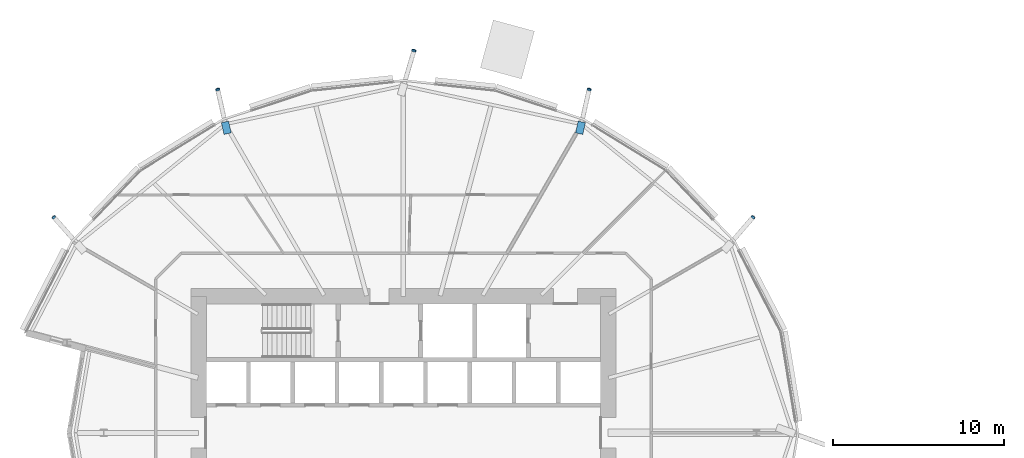
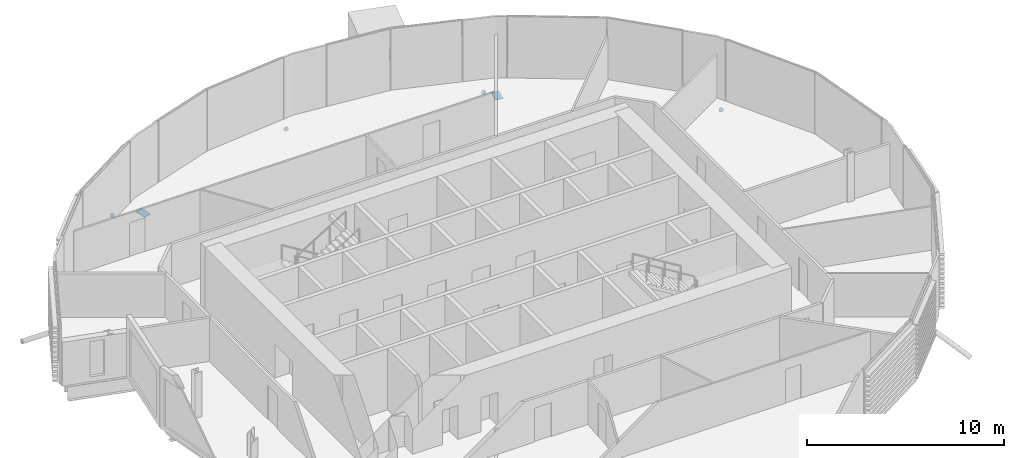
# One storey, part 30 of 38: 7 discrete accessories.
"""IFC4 building model written with IfcOpenShell, lengths in metres."""

from ifc_helpers import new_model, si_unit, direction, frame, origin, origin_2d, place, context, subcontext, project, spatial, polyline, rectangle, circle, outline, extrude, material, material_profile, profile_set, type_object, element, save


model = new_model("IFC4")

# Units and contexts
model_context = context("Model", 3, precision=1e-05, world=origin(), true_north=direction((0.0, 1.0)))
body_context = subcontext(model_context, "Body", "Model", "MODEL_VIEW")
ifc_project = project(units=[si_unit("LENGTHUNIT", "METRE"), si_unit("AREAUNIT", "SQUARE_METRE"), si_unit("VOLUMEUNIT", "CUBIC_METRE"), si_unit("PLANEANGLEUNIT", "RADIAN"), si_unit("MASSUNIT", "GRAM", prefix="KILO")], contexts=[model_context])

# Site, building, storey
site_placement = place(None, origin())
site = spatial("IfcSite", under=ifc_project, at=site_placement, CompositionType="ELEMENT")
building_placement = place(site_placement, origin())
building = spatial("IfcBuilding", under=site, at=building_placement, Name="Rimbun Link Towers", CompositionType="ELEMENT")
storey_placement = place(building_placement, frame((0.0, 0.0, 56.60009765625)))
storey = spatial("IfcBuildingStorey", under=building, at=storey_placement, Name="L13", CompositionType="ELEMENT", Elevation=56.60009765625)

# Discrete accessories
ifc_material_1 = material(Name="Steel S355J2H", Category="steel")
ifc_material_profile_1 = material_profile(ifc_material_1, circle(Radius=0.1240234375, at=origin_2d()), Name="PL D248")
ifc_profile_set_1 = profile_set([ifc_material_profile_1], Name="Steel S355J2H")
discrete_accessory_type_1 = type_object("IfcDiscreteAccessoryType", Name="Link foot sealing plate D248X20", PredefinedType="BRACKET", material=ifc_profile_set_1)
discrete_accessory_1_placement = place(storey_placement, frame((-11.2607421875, 12.628662109375, -2.016357421875), z_axis=(0.562441339278, 0.648030238733, -0.513533396732), x_axis=(-0.755218729872, 0.655472859889, 0.0)))
element("IfcDiscreteAccessory", 1, at=discrete_accessory_1_placement, inside=storey, type_object=discrete_accessory_type_1, Name="Link foot sealing plate T1 L13 02", PredefinedType="BRACKET", context=body_context, shape_type="SweptSolid", body=[
    extrude(circle(Radius=0.1240234375, at=origin_2d()), origin(), (0.0, 0.0, 1.0), 0.02001953125),
])
for number, where, z_axis, x_axis, name in (
    (2, (-20.86474609375, 20.115234375, -2.104248046875), (0.184833375936, 0.850233529307, -0.492889002497), (-0.977176363923, 0.212429644331, 0.0), "Link foot sealing plate T1 L13 04"),
    (3, (-31.132080078125, 22.39501953125, -2.161376953125), (0.245736593591, 0.835504418211, -0.491473187183), (-0.959365501571, 0.282166323992, 0.0), "Link foot sealing plate T1 L13 06"),
    (4, (-42.63525390625, 20.115234375, -2.104248046875), (-0.184833375936, 0.850233529307, -0.492889002497), (-0.977176363923, -0.212429644331, 0.0), "Link foot sealing plate T1 L13 08"),
):
    element("IfcDiscreteAccessory", number, at=place(storey_placement, frame(where, z_axis=z_axis, x_axis=x_axis)), inside=storey, type_object=discrete_accessory_type_1, Name=name, PredefinedType="BRACKET", context=body_context, shape_type="SweptSolid", body=[
        extrude(circle(Radius=0.1240234375, at=origin_2d()), origin(), (0.0, 0.0, 1.0), 0.019775390625),
    ])
discrete_accessory_2_placement = place(storey_placement, frame((-52.23291015625, 12.62890625, -2.02294921875), z_axis=(-0.574239243749, 0.647546381249, -0.500932106249), x_axis=(-0.748187660157, -0.663487170328, 0.0)))
element("IfcDiscreteAccessory", 5, at=discrete_accessory_2_placement, inside=storey, type_object=discrete_accessory_type_1, Name="Link foot sealing plate T1 L13 10", PredefinedType="BRACKET", context=body_context, shape_type="SweptSolid", body=[
    extrude(circle(Radius=0.1240234375, at=origin_2d()), origin(), (0.0, 0.0, 1.0), 0.02001953125),
])
ifc_material_2 = material(Name="Steel S355J2H", Category="steel")
ifc_material_profile_2 = material_profile(ifc_material_2, rectangle(XDim=0.43310546875, YDim=0.43310546875, at=origin_2d()), Name="PL 433x433")
ifc_profile_set_2 = profile_set([ifc_material_profile_2], Name="Steel S355J2H")
discrete_accessory_type_2 = type_object("IfcDiscreteAccessoryType", Name="Link head end plate 433X20", PredefinedType="BRACKET", material=ifc_profile_set_2)
discrete_accessory_3_placement = place(storey_placement, frame((0.0, 0.0, -0.78271484375)))
element("IfcDiscreteAccessory", 6, at=discrete_accessory_3_placement, inside=storey, type_object=discrete_accessory_type_2, Name="Link head end plate T1 L13 04", PredefinedType="BRACKET", context=body_context, shape_type="SweptSolid", body=[
    extrude(outline(polyline([(-21.235595703125, 17.4873046875), (-21.080078125, 18.176513671875), (-21.50244140625, 18.271728515625), (-21.657958984375, 17.58251953125), (-21.235595703125, 17.4873046875)])), origin(), (0.0, 0.0, 1.0), 0.02001953125),
])
discrete_accessory_4_placement = place(storey_placement, frame((0.0, 0.0, -0.78271484375)))
element("IfcDiscreteAccessory", 7, at=discrete_accessory_4_placement, inside=storey, type_object=discrete_accessory_type_2, Name="Link head end plate T1 L13 08", PredefinedType="BRACKET", context=body_context, shape_type="SweptSolid", body=[
    extrude(outline(polyline([(-41.842041015625, 17.58251953125), (-41.99755859375, 18.271728515625), (-42.419921875, 18.176513671875), (-42.264404296875, 17.4873046875), (-41.842041015625, 17.58251953125)])), origin(), (0.0, 0.0, 1.0), 0.02001953125),
])

save(model, "model.ifc")
